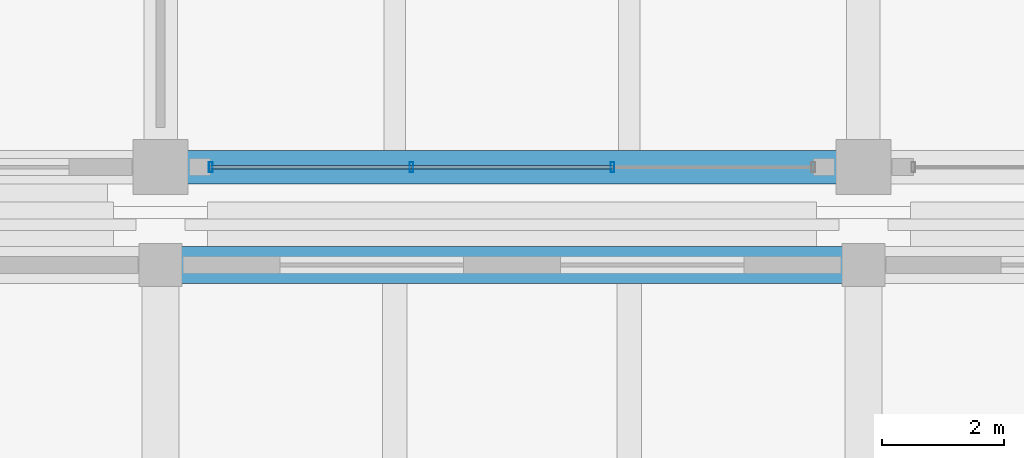
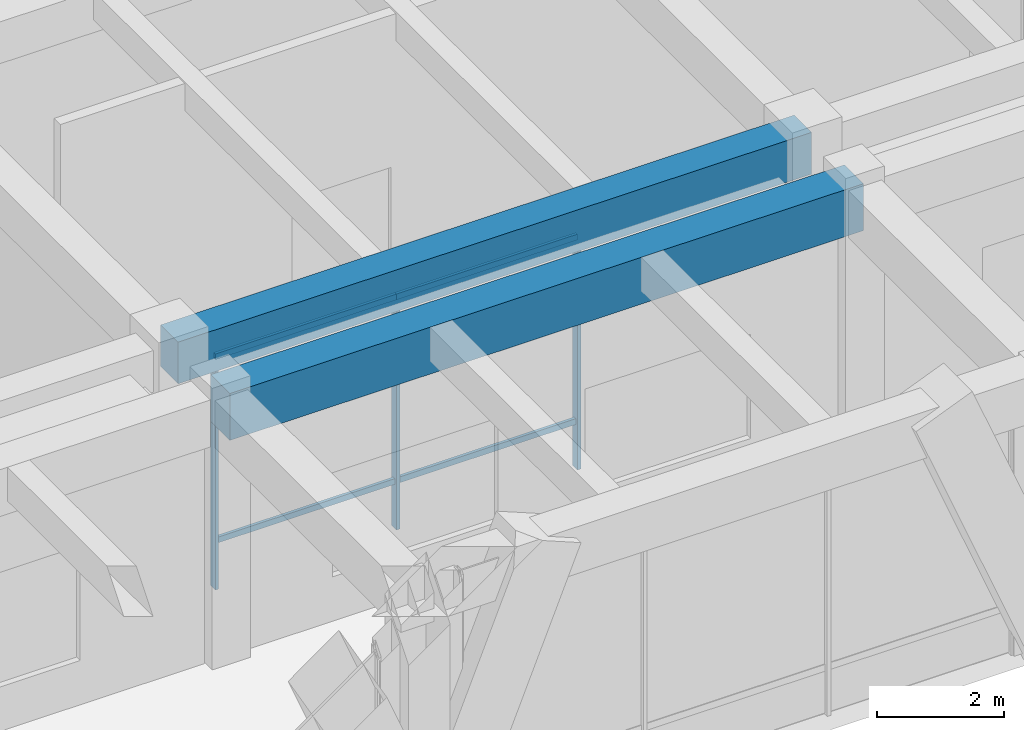
# One storey, part 52 of 148: 7 members, 2 beams, 1 element without a shape of its own.
"""IFC4 building model written with IfcOpenShell, lengths in metres."""

from ifc_helpers import new_model, si_unit, direction, frame, origin, origin_2d, place, context, subcontext, project, spatial, rectangle, hollow_rectangle, extrude, material, material_profile, profile_set, type_object, element, aggregate, save


model = new_model("IFC4")

# Units and contexts
model_context = context("Model", 3, precision=1e-05, world=origin(), true_north=direction((0.0, 1.0)))
body_context = subcontext(model_context, "Body", "Model", "MODEL_VIEW")
ifc_project = project(units=[si_unit("LENGTHUNIT", "METRE"), si_unit("AREAUNIT", "SQUARE_METRE"), si_unit("VOLUMEUNIT", "CUBIC_METRE"), si_unit("PLANEANGLEUNIT", "RADIAN"), si_unit("MASSUNIT", "GRAM", prefix="KILO")], contexts=[model_context])

# Site, building, storey
site_placement = place(None, origin())
site = spatial("IfcSite", under=ifc_project, at=site_placement, CompositionType="ELEMENT")
building_placement = place(site_placement, origin())
building = spatial("IfcBuilding", under=site, at=building_placement, Name="Ologun Quay Terminus", CompositionType="ELEMENT")
storey_placement = place(building_placement, frame((0.0, 0.0, 8.39990234375)))
storey = spatial("IfcBuildingStorey", under=building, at=storey_placement, Name="L02", CompositionType="ELEMENT", Elevation=8.39990234375)

# Curtain wall, members
ifc_material_1 = material(Name="Aluminium 6063-T6", Category="aluminium")
curtain_wall_type = type_object("IfcCurtainWallType", Name="Waterfront Pavilion Harbour Curtain Wall L02 10500x5000", PredefinedType="USERDEFINED", material=ifc_material_1)
curtain_wall_placement = place(storey_placement, origin())
curtain_wall = element("IfcCurtainWall", 1, at=curtain_wall_placement, inside=storey, type_object=curtain_wall_type, Name="CW-24 Curtain Wall CW-L02-103", ObjectType="UNITISED CURTAIN WALL", PredefinedType="USERDEFINED")
ifc_material_2 = material(Name="Aluminium 6063-T6", Category="aluminium")
ifc_material_profile_1 = material_profile(ifc_material_2, hollow_rectangle(XDim=0.06005859375, YDim=0.159912109375, WallThickness=0.00390625, at=origin_2d()), Name="ALU 160x60x4")
ifc_profile_set_1 = profile_set([ifc_material_profile_1], Name="Aluminium 6063-T6")
member_type_1 = type_object("IfcMemberType", Name="Courtyard Screen Mullion 160x65", PredefinedType="MULLION", material=ifc_profile_set_1)
member_1_placement = place(storey_placement, frame((23.820068359375, 85.800048828125, 0.0), z_axis=(0.0, 0.0, 1.0), x_axis=(1.0, 0.0, 0.0)))
member_1 = element("IfcMember", 2, at=member_1_placement, type_object=member_type_1, Name="CW-L02-103 Mullion 1", PredefinedType="MULLION", context=body_context, shape_type="SweptSolid", body=[
    extrude(hollow_rectangle(XDim=0.06005859375, YDim=0.159912109375, WallThickness=0.00390625, at=origin_2d()), origin(), (0.0, 0.0, 1.0), 5.130126953125),
])
member_2_placement = place(storey_placement, frame((27.106689453125, 85.800048828125, 0.0), z_axis=(0.0, 0.0, 1.0), x_axis=(1.0, 0.0, 0.0)))
member_2 = element("IfcMember", 3, at=member_2_placement, type_object=member_type_1, Name="CW-L02-103 Mullion 2", PredefinedType="MULLION", context=body_context, shape_type="SweptSolid", body=[
    extrude(hollow_rectangle(XDim=0.06005859375, YDim=0.159912109375, WallThickness=0.00390625, at=origin_2d()), origin(), (0.0, 0.0, 1.0), 5.130126953125),
])
member_3_placement = place(storey_placement, frame((30.393310546875, 85.800048828125, 0.0), z_axis=(0.0, 0.0, 1.0), x_axis=(1.0, 0.0, 0.0)))
member_3 = element("IfcMember", 4, at=member_3_placement, type_object=member_type_1, Name="CW-L02-103 Mullion 3", PredefinedType="MULLION", context=body_context, shape_type="SweptSolid", body=[
    extrude(hollow_rectangle(XDim=0.06005859375, YDim=0.159912109375, WallThickness=0.00390625, at=origin_2d()), origin(), (0.0, 0.0, 1.0), 5.130126953125),
])
ifc_material_3 = material(Name="Aluminium 6063-T6", Category="aluminium")
ifc_material_profile_2 = material_profile(ifc_material_3, hollow_rectangle(XDim=0.054931640625, YDim=0.110107421875, WallThickness=0.00390625, at=origin_2d()), Name="ALU 110x55x4")
ifc_profile_set_2 = profile_set([ifc_material_profile_2], Name="Aluminium 6063-T6")
member_type_2 = type_object("IfcMemberType", Name="Courtyard Screen Transom 110x55", PredefinedType="USERDEFINED", material=ifc_profile_set_2)
member_4_placement = place(storey_placement, frame((23.820068359375, 85.800048828125, 0.900146484375), z_axis=(1.0, 0.0, 0.0), x_axis=(0.0, 1.0, 0.0)))
member_4 = element("IfcMember", 5, at=member_4_placement, type_object=member_type_2, Name="CW-L02-103 Transom B1-1", ObjectType="TRANSOM", PredefinedType="USERDEFINED", context=body_context, shape_type="SweptSolid", body=[
    extrude(hollow_rectangle(XDim=0.054931640625, YDim=0.110107421875, WallThickness=0.00390625, at=origin_2d()), origin(), (0.0, 0.0, 1.0), 3.28662109375),
])
member_5_placement = place(storey_placement, frame((23.820068359375, 85.800048828125, 4.43017578125), z_axis=(1.0, 0.0, 0.0), x_axis=(0.0, 1.0, 0.0)))
member_5 = element("IfcMember", 6, at=member_5_placement, type_object=member_type_2, Name="CW-L02-103 Transom B1-2", ObjectType="TRANSOM", PredefinedType="USERDEFINED", context=body_context, shape_type="SweptSolid", body=[
    extrude(hollow_rectangle(XDim=0.054931640625, YDim=0.110107421875, WallThickness=0.00390625, at=origin_2d()), origin(), (0.0, 0.0, 1.0), 3.28662109375),
])
member_6_placement = place(storey_placement, frame((27.106689453125, 85.800048828125, 0.900146484375), z_axis=(1.0, 0.0, 0.0), x_axis=(0.0, 1.0, 0.0)))
member_6 = element("IfcMember", 7, at=member_6_placement, type_object=member_type_2, Name="CW-L02-103 Transom B2-1", ObjectType="TRANSOM", PredefinedType="USERDEFINED", context=body_context, shape_type="SweptSolid", body=[
    extrude(hollow_rectangle(XDim=0.054931640625, YDim=0.110107421875, WallThickness=0.00390625, at=origin_2d()), origin(), (0.0, 0.0, 1.0), 3.28662109375),
])
member_7_placement = place(storey_placement, frame((27.106689453125, 85.800048828125, 4.43017578125), z_axis=(1.0, 0.0, 0.0), x_axis=(0.0, 1.0, 0.0)))
member_7 = element("IfcMember", 8, at=member_7_placement, type_object=member_type_2, Name="CW-L02-103 Transom B2-2", ObjectType="TRANSOM", PredefinedType="USERDEFINED", context=body_context, shape_type="SweptSolid", body=[
    extrude(hollow_rectangle(XDim=0.054931640625, YDim=0.110107421875, WallThickness=0.00390625, at=origin_2d()), origin(), (0.0, 0.0, 1.0), 3.28662109375),
])
aggregate(curtain_wall, [member_1, member_2, member_3, member_4, member_5, member_6, member_7])

# Beams
ifc_material_4 = material(Name="Concrete C40/50", Category="concrete")
ifc_material_profile_3 = material_profile(ifc_material_4, rectangle(XDim=0.550048828125, YDim=0.800048828125, at=origin_2d()), Name="RC 550x800")
ifc_profile_set_3 = profile_set([ifc_material_profile_3], Name="Concrete C40/50")
beam_type_1 = type_object("IfcBeamType", Name="Courtyard Wing Primary Girder 550x800", PredefinedType="BEAM", material=ifc_profile_set_3)
beam_1_placement = place(storey_placement, frame((23.0, 85.800048828125, 4.75), z_axis=(1.0, 0.0, 0.0), x_axis=(0.0, 1.0, 0.0)))
element("IfcBeam", 9, at=beam_1_placement, inside=storey, type_object=beam_type_1, Name="B4 Beam 3/G2 L02", PredefinedType="BEAM", context=body_context, shape_type="SweptSolid", body=[
    extrude(rectangle(XDim=0.550048828125, YDim=0.800048828125, at=origin_2d()), origin(), (0.0, 0.0, 1.0), 11.5),
])
ifc_material_5 = material(Name="Concrete C40/50", Category="concrete")
ifc_material_profile_4 = material_profile(ifc_material_5, rectangle(XDim=0.60009765625, YDim=0.89990234375, at=origin_2d()), Name="RC 600x900")
ifc_profile_set_4 = profile_set([ifc_material_profile_4], Name="Concrete C40/50")
beam_type_2 = type_object("IfcBeamType", Name="Station Frame Girder 600x900", PredefinedType="BEAM", material=ifc_profile_set_4)
beam_2_placement = place(storey_placement, frame((23.0, 84.199951171875, 4.7001953125), z_axis=(1.0, 0.0, 0.0), x_axis=(0.0, 1.0, 0.0)))
element("IfcBeam", 10, at=beam_2_placement, inside=storey, type_object=beam_type_2, Name="B3 Beam 3/G1 L02", PredefinedType="BEAM", context=body_context, shape_type="SweptSolid", body=[
    extrude(rectangle(XDim=0.60009765625, YDim=0.89990234375, at=origin_2d()), origin(), (0.0, 0.0, 1.0), 11.5),
])

save(model, "model.ifc")
